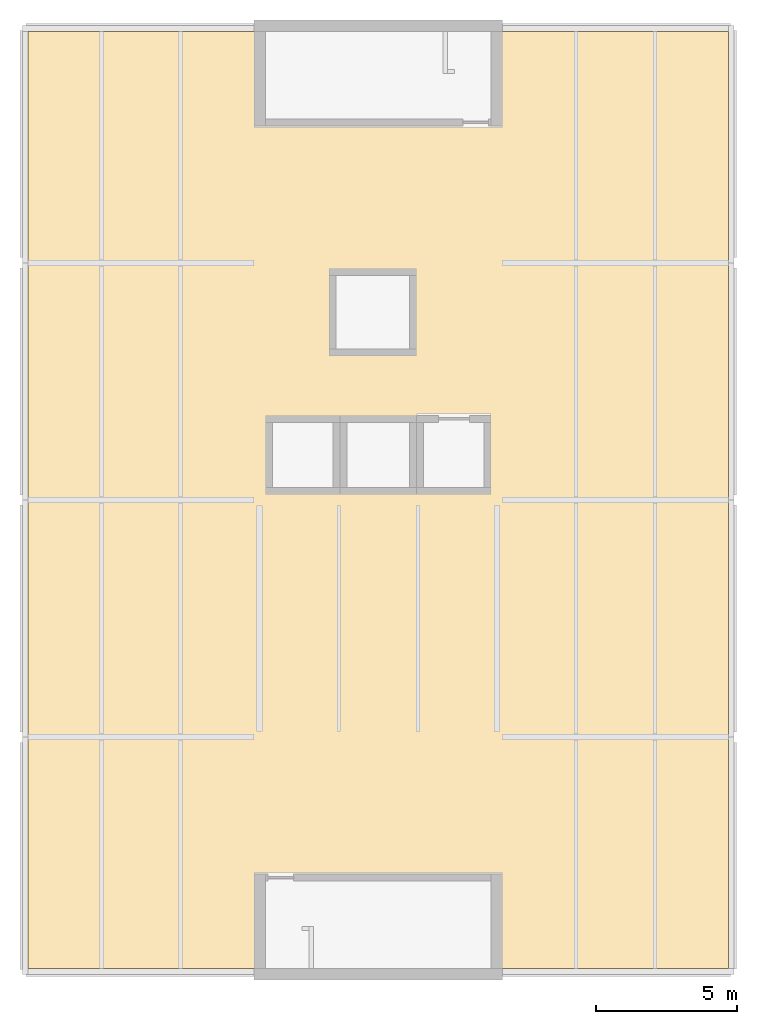
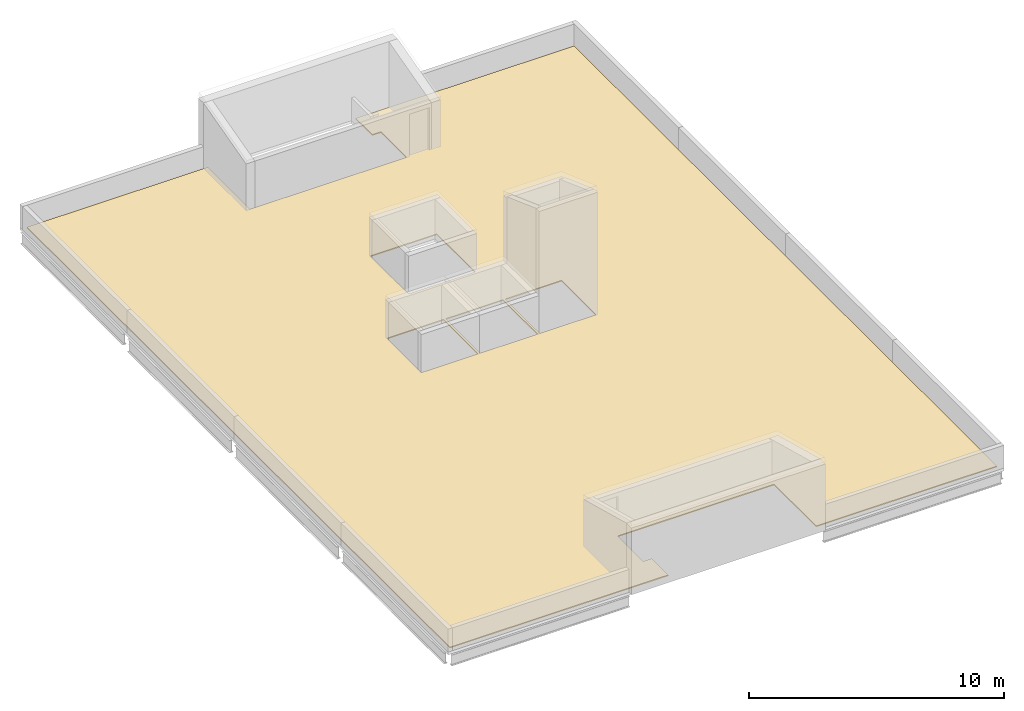
# One storey, part 3 of 3: 1 covering.
"""IFC4 building model written with IfcOpenShell, lengths in metres."""

from ifc_helpers import new_model, si_unit, direction, frame, origin, place, context, subcontext, project, spatial, polyline, outline, extrude, material, layer, layer_set, type_object, element, save


model = new_model("IFC4")

# Units and contexts
model_context = context("Model", 3, precision=1e-05, world=origin(), true_north=direction((0.0, 1.0)))
body_context = subcontext(model_context, "Body", "Model", "MODEL_VIEW")
ifc_project = project(units=[si_unit("LENGTHUNIT", "METRE"), si_unit("AREAUNIT", "SQUARE_METRE"), si_unit("VOLUMEUNIT", "CUBIC_METRE"), si_unit("PLANEANGLEUNIT", "RADIAN"), si_unit("MASSUNIT", "GRAM", prefix="KILO")], contexts=[model_context])

# Site, building, storey
site_placement = place(None, origin())
site = spatial("IfcSite", under=ifc_project, at=site_placement, CompositionType="ELEMENT")
building_placement = place(site_placement, origin())
building = spatial("IfcBuilding", under=site, at=building_placement, Name="Hlaing Beacon Police Headquarters", CompositionType="ELEMENT")
storey_placement = place(building_placement, frame((0.0, 0.0, 41.39990234375)))
storey = spatial("IfcBuildingStorey", under=building, at=storey_placement, Name="ROOF", CompositionType="ELEMENT", Elevation=41.39990234375)

# Covering
ifc_material = material(Name="Bituminous roofing membrane")
ifc_layer = layer(ifc_material, 0.050048828125)
ifc_layer_set = layer_set([ifc_layer], Name="Bituminous roofing membrane")
covering_type = type_object("IfcCoveringType", Name="Roofing membrane 50", PredefinedType="ROOFING", material=ifc_layer_set)
covering_placement = place(storey_placement, origin())
element("IfcCovering", 1, at=covering_placement, inside=storey, type_object=covering_type, Name="Roofing V5 1", PredefinedType="ROOFING", context=body_context, shape_type="SweptSolid", body=[
    extrude(outline(polyline([(115.89990234375, 65.699951171875), (115.89990234375, 67.0), (125.800048828125, 67.0), (125.800048828125, 33.800048828125), (117.60009765625, 33.800048828125), (117.60009765625, 37.10009765625), (110.510009765625, 37.10009765625), (110.510009765625, 35.10009765625), (110.89990234375, 35.10009765625), (110.89990234375, 33.800048828125), (101.0, 33.800048828125), (101.0, 67.0), (109.199951171875, 67.0), (109.199951171875, 63.699951171875), (116.2900390625, 63.699951171875), (116.2900390625, 65.699951171875), (115.89990234375, 65.699951171875)]), holes=[polyline([(117.35009765625, 53.35009765625), (114.800048828125, 53.35009765625), (114.800048828125, 50.64990234375), (117.35009765625, 50.64990234375), (117.35009765625, 53.35009765625)]), polyline([(114.699951171875, 58.550048828125), (111.699951171875, 58.550048828125), (111.699951171875, 55.550048828125), (114.699951171875, 55.550048828125), (114.699951171875, 58.550048828125)]), polyline([(114.699951171875, 53.35009765625), (112.10009765625, 53.35009765625), (112.10009765625, 50.64990234375), (114.699951171875, 50.64990234375), (114.699951171875, 53.35009765625)]), polyline([(112.0, 53.35009765625), (109.449951171875, 53.35009765625), (109.449951171875, 50.64990234375), (112.0, 50.64990234375), (112.0, 53.35009765625)])]), origin(), (0.0, 0.0, 1.0), 0.050048828125),
])

save(model, "model.ifc")
